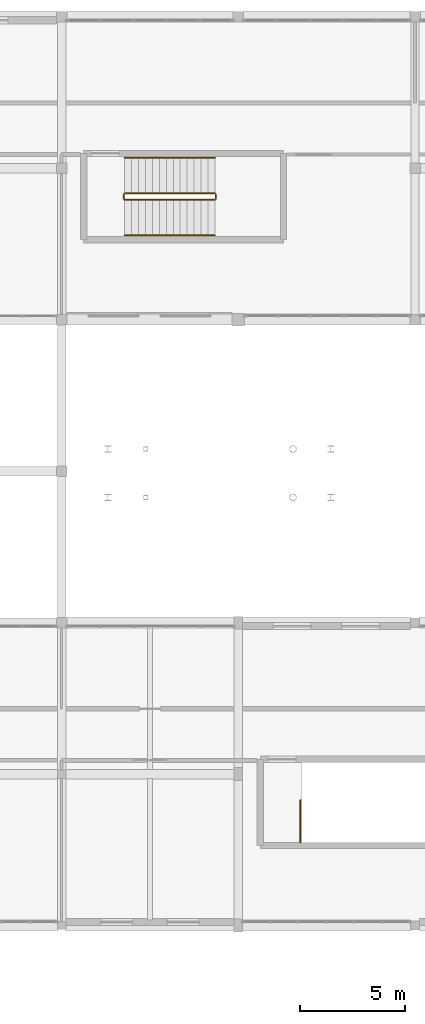
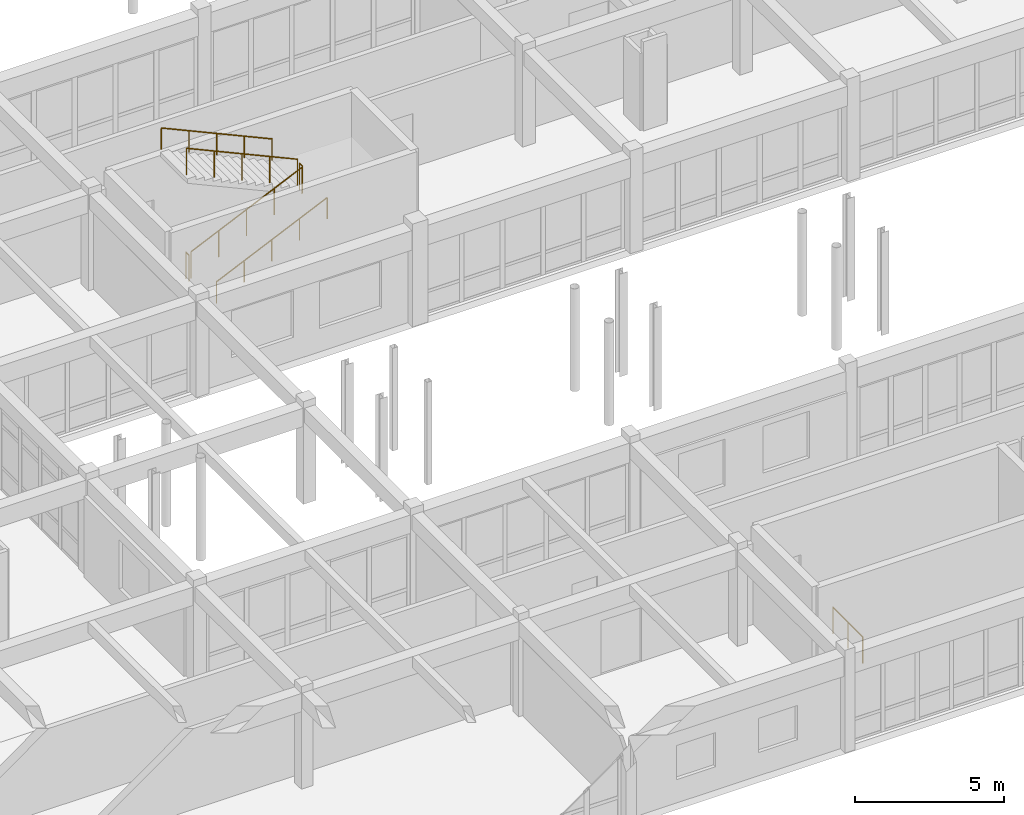
# One storey, part 141 of 147: 7 railings.
"""IFC4 building model written with IfcOpenShell, lengths in metres."""

from ifc_helpers import new_model, si_unit, direction, frame, origin, origin_2d, place, context, subcontext, project, spatial, circle, extrude, material, layer, layer_set, type_object, element, save


model = new_model("IFC4")

# Units and contexts
model_context = context("Model", 3, precision=1e-05, world=origin(), true_north=direction((0.0, 1.0)))
body_context = subcontext(model_context, "Body", "Model", "MODEL_VIEW")
ifc_project = project(units=[si_unit("LENGTHUNIT", "METRE"), si_unit("AREAUNIT", "SQUARE_METRE"), si_unit("VOLUMEUNIT", "CUBIC_METRE"), si_unit("PLANEANGLEUNIT", "RADIAN"), si_unit("MASSUNIT", "GRAM", prefix="KILO")], contexts=[model_context])

# Site, building, storey
site_placement = place(None, origin())
site = spatial("IfcSite", under=ifc_project, at=site_placement, CompositionType="ELEMENT")
building_placement = place(site_placement, origin())
building = spatial("IfcBuilding", under=site, at=building_placement, Name="Malvenik Polytechnic", CompositionType="ELEMENT")
storey_placement = place(building_placement, frame((0.0, 0.0, 5.10009765625)))
storey = spatial("IfcBuildingStorey", under=building, at=storey_placement, Name="L01", CompositionType="ELEMENT", Elevation=5.10009765625)

# Railings
ifc_material_1 = material(Name="Painted galvanised steel stair well balustrade 1100mm", Category="steel")
ifc_layer_1 = layer(ifc_material_1, 0.050048828125)
ifc_layer_set_1 = layer_set([ifc_layer_1], Name="Painted galvanised steel stair well balustrade 1100mm")
railing_type_1 = type_object("IfcRailingType", Name="ARC-RL-STGD", PredefinedType="BALUSTRADE", material=ifc_layer_set_1)
railing_1_placement = place(storey_placement, frame((95.39990234375, 56.10009765625, 0.14990234375)))
element("IfcRailing", 1, at=railing_1_placement, inside=storey, type_object=railing_type_1, Name="L01 ST-07 stair guard 1", PredefinedType="BALUSTRADE", context=body_context, shape_type="SweptSolid", body=[
    extrude(circle(Radius=0.02392578125, at=origin_2d()), frame((0.0, 0.0, 1.076171875), z_axis=(0.910371800137, 0.0, 0.413791234219), x_axis=(0.0, 1.0, 0.0)), (0.0, 0.0, 1.0), 4.71240234375),
    extrude(circle(Radius=0.02099609375, at=origin_2d()), origin(), (0.0, 0.0, 1.0), 1.052001953125),
    extrude(circle(Radius=0.02099609375, at=origin_2d()), frame((1.072509765625, 0.0, 0.487548828125)), (0.0, 0.0, 1.0), 1.052001953125),
    extrude(circle(Radius=0.02099609375, at=origin_2d()), frame((2.14501953125, 0.0, 0.97509765625)), (0.0, 0.0, 1.0), 1.052001953125),
    extrude(circle(Radius=0.02099609375, at=origin_2d()), frame((3.217529296875, 0.0, 1.46240234375)), (0.0, 0.0, 1.0), 1.052001953125),
    extrude(circle(Radius=0.02099609375, at=origin_2d()), frame((4.2900390625, 0.0, 1.949951171875)), (0.0, 0.0, 1.0), 1.052001953125),
])
railing_2_placement = place(storey_placement, frame((99.739990234375, 56.14990234375, 2.099853515625)))
element("IfcRailing", 2, at=railing_2_placement, inside=storey, type_object=railing_type_1, Name="L01 ST-07 stair guard 2", PredefinedType="BALUSTRADE", context=body_context, shape_type="SweptSolid", body=[
    extrude(circle(Radius=0.02392578125, at=origin_2d()), frame((0.0, 0.0, 1.076171875), z_axis=(0.0, 1.0, 0.0), x_axis=(-1.0, 0.0, 0.0)), (0.0, 0.0, 1.0), 0.2001953125),
    extrude(circle(Radius=0.02099609375, at=origin_2d()), origin(), (0.0, 0.0, 1.0), 1.052001953125),
    extrude(circle(Radius=0.02099609375, at=origin_2d()), frame((0.0, 0.2001953125, 0.0)), (0.0, 0.0, 1.0), 1.052001953125),
])
railing_3_placement = place(storey_placement, frame((99.68994140625, 56.39990234375, 2.25)))
element("IfcRailing", 3, at=railing_3_placement, inside=storey, type_object=railing_type_1, Name="L01 ST-07 stair guard 3", PredefinedType="BALUSTRADE", context=body_context, shape_type="SweptSolid", body=[
    extrude(circle(Radius=0.02392578125, at=origin_2d()), frame((0.0, 0.0, 1.076171875), z_axis=(-0.910371800137, 0.0, 0.413791234219), x_axis=(0.0, -1.0, 0.0)), (0.0, 0.0, 1.0), 4.71240234375),
    extrude(circle(Radius=0.02099609375, at=origin_2d()), origin(), (0.0, 0.0, 1.0), 1.052001953125),
    extrude(circle(Radius=0.02099609375, at=origin_2d()), frame((-1.072509765625, 0.0, 0.487548828125)), (0.0, 0.0, 1.0), 1.052001953125),
    extrude(circle(Radius=0.02099609375, at=origin_2d()), frame((-2.14501953125, 0.0, 0.97509765625)), (0.0, 0.0, 1.0), 1.052001953125),
    extrude(circle(Radius=0.02099609375, at=origin_2d()), frame((-3.217529296875, 0.0, 1.46240234375)), (0.0, 0.0, 1.0), 1.052001953125),
    extrude(circle(Radius=0.02099609375, at=origin_2d()), frame((-4.2900390625, 0.0, 1.949951171875)), (0.0, 0.0, 1.0), 1.052001953125),
])
railing_4_placement = place(storey_placement, frame((95.35009765625, 56.14990234375, 0.0)))
element("IfcRailing", 4, at=railing_4_placement, inside=storey, type_object=railing_type_1, Name="L01 ST-07 stair guard 4", PredefinedType="BALUSTRADE", context=body_context, shape_type="SweptSolid", body=[
    extrude(circle(Radius=0.02392578125, at=origin_2d()), frame((0.0, 0.0, 1.076171875), z_axis=(0.0, 1.0, 0.0), x_axis=(-1.0, 0.0, 0.0)), (0.0, 0.0, 1.0), 0.2001953125),
    extrude(circle(Radius=0.02099609375, at=origin_2d()), origin(), (0.0, 0.0, 1.0), 1.052001953125),
    extrude(circle(Radius=0.02099609375, at=origin_2d()), frame((0.0, 0.2001953125, 0.0)), (0.0, 0.0, 1.0), 1.052001953125),
])
railing_5_placement = place(storey_placement, frame((103.75, 25.550048828125, 0.0)))
element("IfcRailing", 5, at=railing_5_placement, inside=storey, type_object=railing_type_1, Name="L01 ST-08 top well guard 1", PredefinedType="BALUSTRADE", context=body_context, shape_type="SweptSolid", body=[
    extrude(circle(Radius=0.02392578125, at=origin_2d()), frame((0.0, 0.0, 1.076171875), z_axis=(0.0, 1.0, 0.0), x_axis=(-1.0, 0.0, 0.0)), (0.0, 0.0, 1.0), 2.0),
    extrude(circle(Radius=0.02099609375, at=origin_2d()), origin(), (0.0, 0.0, 1.0), 1.052001953125),
    extrude(circle(Radius=0.02099609375, at=origin_2d()), frame((0.0, 1.0, 0.0)), (0.0, 0.0, 1.0), 1.052001953125),
    extrude(circle(Radius=0.02099609375, at=origin_2d()), frame((0.0, 2.0, 0.0)), (0.0, 0.0, 1.0), 1.052001953125),
])
ifc_material_2 = material(Name="Brushed stainless steel 1.4301 stair wall handrail", Category="steel")
ifc_layer_2 = layer(ifc_material_2, 0.044921875)
ifc_layer_set_2 = layer_set([ifc_layer_2], Name="Brushed stainless steel 1.4301 stair wall handrail")
railing_type_2 = type_object("IfcRailingType", Name="ARC-RL-STHR", PredefinedType="HANDRAIL", material=ifc_layer_set_2)
railing_6_placement = place(storey_placement, frame((95.39990234375, 54.39990234375, 0.14990234375)))
element("IfcRailing", 6, at=railing_6_placement, inside=storey, type_object=railing_type_2, Name="L01 ST-07 stair handrail 1", PredefinedType="HANDRAIL", context=body_context, shape_type="SweptSolid", body=[
    extrude(circle(Radius=0.02392578125, at=origin_2d()), frame((0.0, 0.0, 0.8759765625), z_axis=(0.910371800137, 0.0, 0.413791234219), x_axis=(0.0, 1.0, 0.0)), (0.0, 0.0, 1.0), 4.71240234375),
    extrude(circle(Radius=0.02099609375, at=origin_2d()), origin(), (0.0, 0.0, 1.0), 0.851806640625),
    extrude(circle(Radius=0.02099609375, at=origin_2d()), frame((1.072509765625, 0.0, 0.487548828125)), (0.0, 0.0, 1.0), 0.851806640625),
    extrude(circle(Radius=0.02099609375, at=origin_2d()), frame((2.14501953125, 0.0, 0.97509765625)), (0.0, 0.0, 1.0), 0.851806640625),
    extrude(circle(Radius=0.02099609375, at=origin_2d()), frame((3.217529296875, 0.0, 1.46240234375)), (0.0, 0.0, 1.0), 0.851806640625),
    extrude(circle(Radius=0.02099609375, at=origin_2d()), frame((4.2900390625, 0.0, 1.949951171875)), (0.0, 0.0, 1.0), 0.851806640625),
])
railing_7_placement = place(storey_placement, frame((99.68994140625, 58.10009765625, 2.25)))
element("IfcRailing", 7, at=railing_7_placement, inside=storey, type_object=railing_type_2, Name="L01 ST-07 stair handrail 2", PredefinedType="HANDRAIL", context=body_context, shape_type="SweptSolid", body=[
    extrude(circle(Radius=0.02392578125, at=origin_2d()), frame((0.0, 0.0, 0.8759765625), z_axis=(-0.910371800137, 0.0, 0.413791234219), x_axis=(0.0, -1.0, 0.0)), (0.0, 0.0, 1.0), 4.71240234375),
    extrude(circle(Radius=0.02099609375, at=origin_2d()), origin(), (0.0, 0.0, 1.0), 0.851806640625),
    extrude(circle(Radius=0.02099609375, at=origin_2d()), frame((-1.072509765625, 0.0, 0.487548828125)), (0.0, 0.0, 1.0), 0.851806640625),
    extrude(circle(Radius=0.02099609375, at=origin_2d()), frame((-2.14501953125, 0.0, 0.97509765625)), (0.0, 0.0, 1.0), 0.851806640625),
    extrude(circle(Radius=0.02099609375, at=origin_2d()), frame((-3.217529296875, 0.0, 1.46240234375)), (0.0, 0.0, 1.0), 0.851806640625),
    extrude(circle(Radius=0.02099609375, at=origin_2d()), frame((-4.2900390625, 0.0, 1.949951171875)), (0.0, 0.0, 1.0), 0.851806640625),
])

save(model, "model.ifc")
